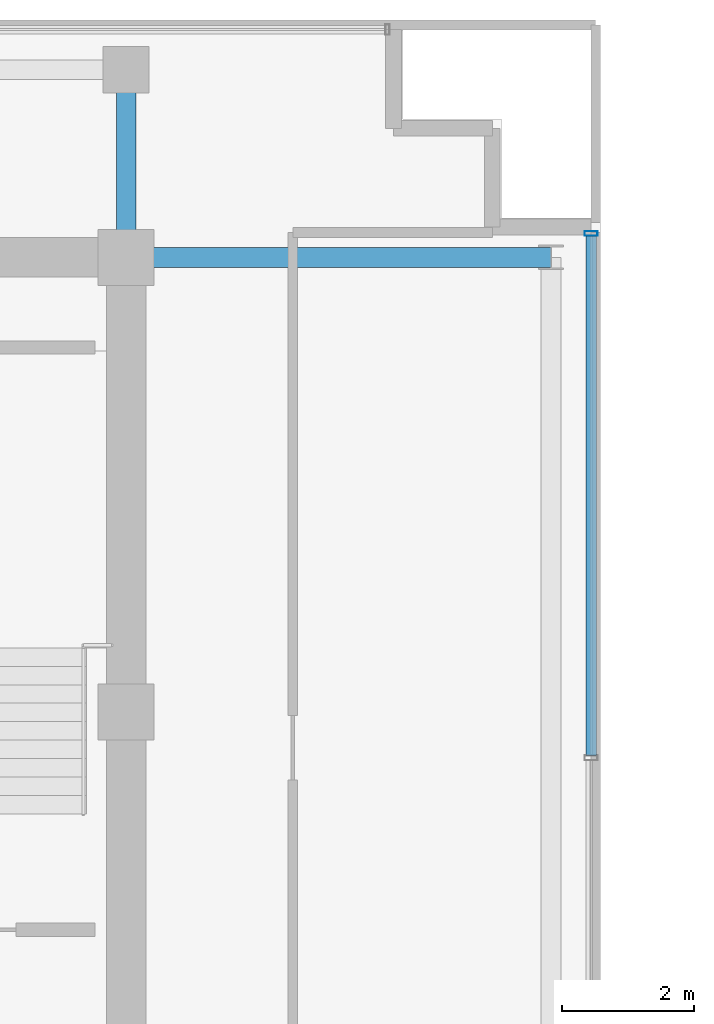
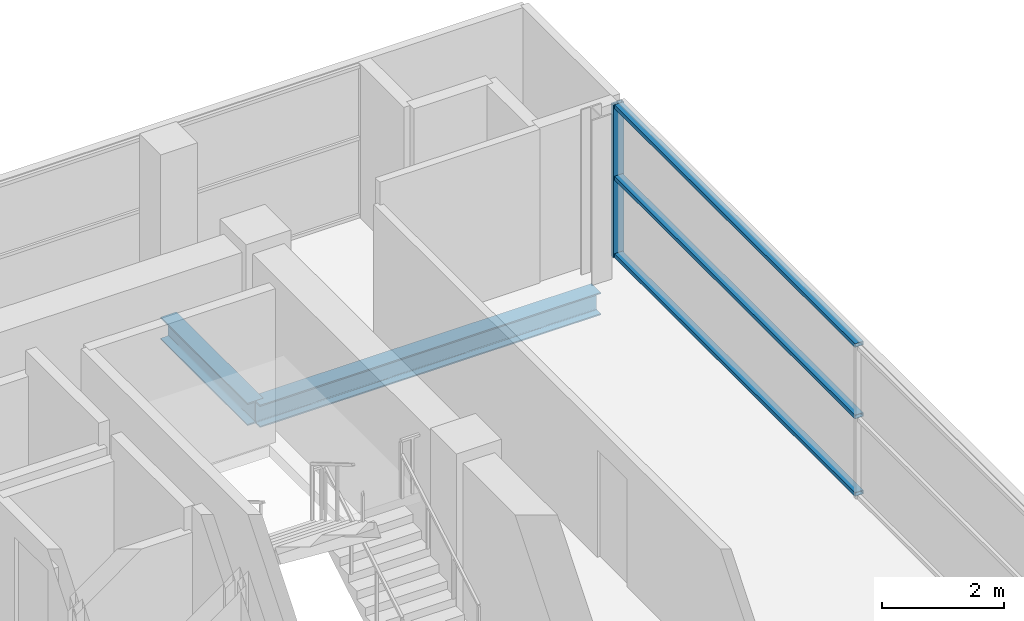
# One storey, part 16 of 29: 4 members, 2 beams, 1 element without a shape of its own.
"""IFC4 building model written with IfcOpenShell, lengths in metres."""

from ifc_helpers import new_model, si_unit, direction, frame, origin, origin_2d, place, context, subcontext, project, spatial, hollow_rectangle, i_section, extrude, source, transform, mapped, material, layer, layer_set, material_profile, profile_set, type_object, element, aggregate, save


model = new_model("IFC4")

# Units and contexts
model_context = context("Model", 3, precision=1e-05, world=origin(), true_north=direction((0.0, 1.0)))
body_context = subcontext(model_context, "Body", "Model", "MODEL_VIEW")
ifc_project = project(units=[si_unit("LENGTHUNIT", "METRE"), si_unit("AREAUNIT", "SQUARE_METRE"), si_unit("VOLUMEUNIT", "CUBIC_METRE"), si_unit("PLANEANGLEUNIT", "RADIAN"), si_unit("MASSUNIT", "GRAM", prefix="KILO")], contexts=[model_context])

# Site, building, storey
site_placement = place(None, origin())
site = spatial("IfcSite", under=ifc_project, at=site_placement, CompositionType="ELEMENT")
building_placement = place(site_placement, origin())
building = spatial("IfcBuilding", under=site, at=building_placement, Name="Zarnakvel Exchange Tower", CompositionType="ELEMENT")
storey_placement = place(building_placement, frame((0.0, 0.0, 265.0)))
storey = spatial("IfcBuildingStorey", under=building, at=storey_placement, Name="L75", CompositionType="ELEMENT", Elevation=265.0)

# Beams
ifc_material_1 = material(Name="Steel S355", Category="steel")
ifc_material_profile_1 = material_profile(ifc_material_1, i_section(OverallWidth=0.300048828125, OverallDepth=0.449951171875, WebThickness=0.013916015625, FlangeThickness=0.02587890625, FilletRadius=0.027099609375, at=origin_2d()))
ifc_profile_set_1 = profile_set([ifc_material_profile_1], Name="Steel S355")
beam_type = type_object("IfcBeamType", Name="G-07", PredefinedType="BEAM", material=ifc_profile_set_1)
beam_1_placement = place(storey_placement, frame((14.39990234375, 13.5, -0.449951171875), z_axis=(1.0, 0.0, 0.0), x_axis=(0.0, 1.0, 0.0)))
element("IfcBeam", 1, at=beam_1_placement, inside=storey, type_object=beam_type, Name="L75 Tower E-W Frame Beam", PredefinedType="BEAM", context=body_context, shape_type="SweptSolid", body=[
    extrude(i_section(OverallWidth=0.300048828125, OverallDepth=0.449951171875, WebThickness=0.013916015625, FlangeThickness=0.02587890625, FilletRadius=0.027099609375, at=origin_2d()), origin(), (0.0, 0.0, 1.0), 6.4501953125),
])
beam_2_placement = place(storey_placement, frame((14.39990234375, 13.5, -0.449951171875), z_axis=(0.0, 1.0, 0.0), x_axis=(-1.0, 0.0, 0.0)))
element("IfcBeam", 2, at=beam_2_placement, inside=storey, type_object=beam_type, Name="L75 Tower N-S Frame Beam", PredefinedType="BEAM", context=body_context, shape_type="SweptSolid", body=[
    extrude(i_section(OverallWidth=0.300048828125, OverallDepth=0.449951171875, WebThickness=0.013916015625, FlangeThickness=0.02587890625, FilletRadius=0.027099609375, at=origin_2d()), origin(), (0.0, 0.0, 1.0), 2.85009765625),
])

# Curtain wall, members
ifc_material_2 = material(Name="Architectural Bronze Anodised Aluminium", Category="aluminium")
ifc_layer = layer(ifc_material_2, 0.199951171875)
ifc_layer_set = layer_set([ifc_layer], Name="Architectural Bronze Anodised Aluminium")
curtain_wall_type = type_object("IfcCurtainWallType", Name="CW-04", PredefinedType="NOTDEFINED", material=ifc_layer_set)
curtain_wall_placement = place(storey_placement, origin())
curtain_wall = element("IfcCurtainWall", 3, at=curtain_wall_placement, inside=storey, type_object=curtain_wall_type, Name="L75 Curtain Wall CW-L75-EN (CW-04)", PredefinedType="NOTDEFINED")
ifc_material_profile_2 = material_profile(ifc_material_2, hollow_rectangle(XDim=0.199951171875, YDim=0.074951171875, WallThickness=0.0048828125, at=origin_2d()))
ifc_profile_set_2 = profile_set([ifc_material_profile_2], Name="Architectural Bronze Anodised Aluminium")
member_type_1 = type_object("IfcMemberType", Name="CWM-04", PredefinedType="MULLION", material=ifc_profile_set_2)
shared_shape_1 = source(origin(), body_context, "Body", "SweptSolid", [
    extrude(hollow_rectangle(XDim=0.199951171875, YDim=0.074951171875, WallThickness=0.0048828125, at=origin_2d()), origin(), (0.0, 0.0, 1.0), 3.054931640625),
])
member_1_placement = place(storey_placement, frame((21.4599609375, 13.862548828125, 0.0), z_axis=(0.0, 0.0, 1.0), x_axis=(-1.0, 0.0, 0.0)))
member_1 = element("IfcMember", 4, at=member_1_placement, type_object=member_type_1, Name="CW-04 mullion 3", PredefinedType="MULLION", context=body_context, shape_type="MappedRepresentation", body=[
    mapped(shared_shape_1, transform((0.0, 0.0, 0.0), x_axis=(1.0, 0.0, 0.0), y_axis=(0.0, 1.0, 0.0), z_axis=(0.0, 0.0, 1.0), scale=1.0)),
])
ifc_material_profile_3 = material_profile(ifc_material_2, hollow_rectangle(XDim=0.159912109375, YDim=0.074951171875, WallThickness=0.00390625, at=origin_2d()))
ifc_profile_set_3 = profile_set([ifc_material_profile_3], Name="Architectural Bronze Anodised Aluminium")
member_type_2 = type_object("IfcMemberType", Name="CWT-04", PredefinedType="USERDEFINED", material=ifc_profile_set_3)
shared_shape_2 = source(origin(), body_context, "Body", "SweptSolid", [
    extrude(hollow_rectangle(XDim=0.159912109375, YDim=0.074951171875, WallThickness=0.00390625, at=origin_2d()), origin(), (0.0, 0.0, 1.0), 7.887451171875),
])
member_2_placement = place(storey_placement, frame((21.4599609375, 5.9375, 0.03759765625), z_axis=(0.0, 1.0, 0.0), x_axis=(-1.0, 0.0, 0.0)))
member_2 = element("IfcMember", 5, at=member_2_placement, type_object=member_type_2, Name="CW-04 transom 2.1", ObjectType="TRANSOM", PredefinedType="USERDEFINED", context=body_context, shape_type="MappedRepresentation", body=[
    mapped(shared_shape_2, transform((0.0, 0.0, 0.0), x_axis=(1.0, 0.0, 0.0), y_axis=(0.0, 1.0, 0.0), z_axis=(0.0, 0.0, 1.0), scale=1.0)),
])
member_3_placement = place(storey_placement, frame((21.4599609375, 5.9375, 1.588623046875), z_axis=(0.0, 1.0, 0.0), x_axis=(-1.0, 0.0, 0.0)))
member_3 = element("IfcMember", 6, at=member_3_placement, type_object=member_type_2, Name="CW-04 transom 2.2", ObjectType="TRANSOM", PredefinedType="USERDEFINED", context=body_context, shape_type="MappedRepresentation", body=[
    mapped(shared_shape_2, transform((0.0, 0.0, 0.0), x_axis=(1.0, 0.0, 0.0), y_axis=(0.0, 1.0, 0.0), z_axis=(0.0, 0.0, 1.0), scale=1.0)),
])
member_4_placement = place(storey_placement, frame((21.4599609375, 5.9375, 3.017578125), z_axis=(0.0, 1.0, 0.0), x_axis=(-1.0, 0.0, 0.0)))
member_4 = element("IfcMember", 7, at=member_4_placement, type_object=member_type_2, Name="CW-04 transom 2.3", ObjectType="TRANSOM", PredefinedType="USERDEFINED", context=body_context, shape_type="MappedRepresentation", body=[
    mapped(shared_shape_2, transform((0.0, 0.0, 0.0), x_axis=(1.0, 0.0, 0.0), y_axis=(0.0, 1.0, 0.0), z_axis=(0.0, 0.0, 1.0), scale=1.0)),
])
aggregate(curtain_wall, [member_1, member_2, member_3, member_4])

save(model, "model.ifc")
